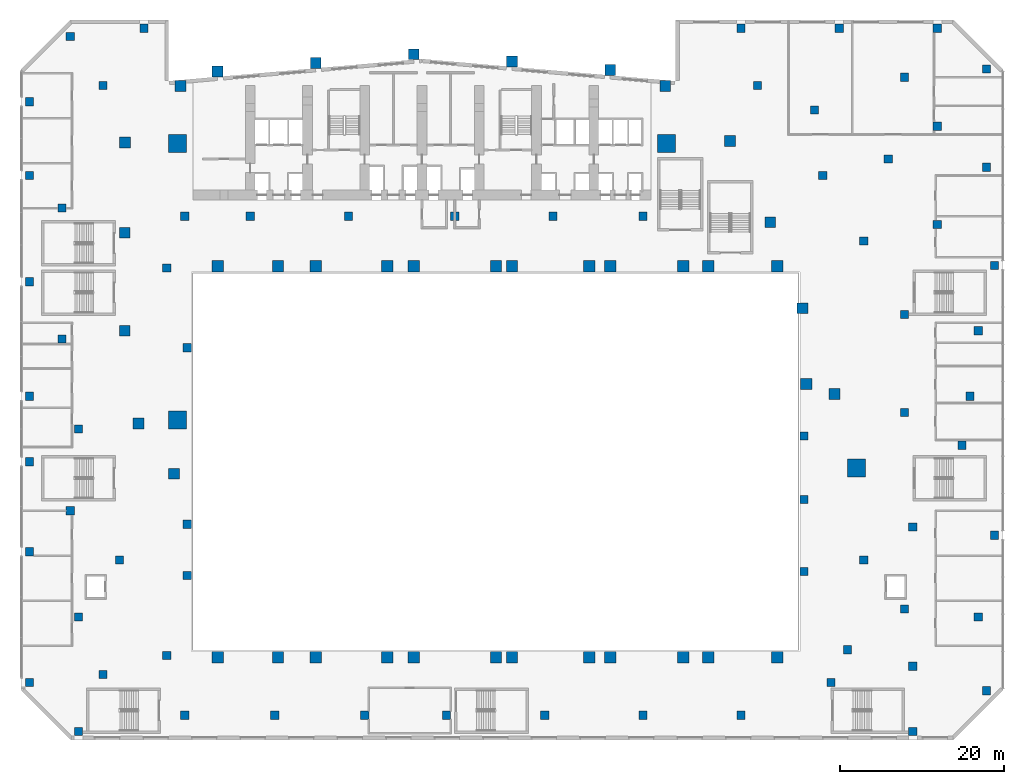
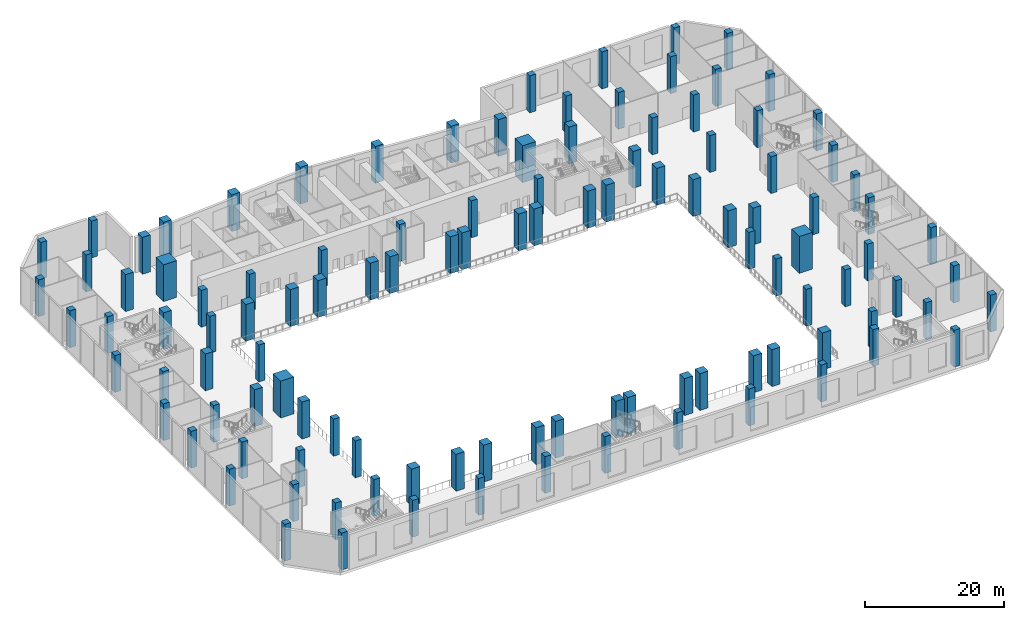
# One storey, part 1 of 30: 113 columns.
"""IFC4 building model written with IfcOpenShell, lengths in metres."""

from ifc_helpers import new_model, si_unit, direction, frame, origin, origin_2d, place, context, subcontext, project, spatial, rectangle, extrude, material, material_profile, profile_set, type_object, element, save


model = new_model("IFC4")

# Units and contexts
model_context = context("Model", 3, precision=1e-05, world=origin(), true_north=direction((0.0, 1.0)))
body_context = subcontext(model_context, "Body", "Model", "MODEL_VIEW")
ifc_project = project(units=[si_unit("LENGTHUNIT", "METRE"), si_unit("AREAUNIT", "SQUARE_METRE"), si_unit("VOLUMEUNIT", "CUBIC_METRE"), si_unit("PLANEANGLEUNIT", "RADIAN"), si_unit("MASSUNIT", "GRAM", prefix="KILO")], contexts=[model_context])

# Site, building, storey
site_placement = place(None, origin())
site = spatial("IfcSite", under=ifc_project, at=site_placement, CompositionType="ELEMENT")
building_placement = place(site_placement, origin())
building = spatial("IfcBuilding", under=site, at=building_placement, Name="Wharfspan Tower", CompositionType="ELEMENT")
storey_placement = place(building_placement, frame((0.0, 0.0, 15.0)))
storey = spatial("IfcBuildingStorey", under=building, at=storey_placement, Name="L02", CompositionType="ELEMENT", Elevation=15.0)

# Columns
ifc_material = material(Name="Concrete C60/75", Category="concrete")
ifc_material_profile_1 = material_profile(ifc_material, rectangle(XDim=1.0, YDim=1.0, at=origin_2d()))
ifc_profile_set_1 = profile_set([ifc_material_profile_1], Name="Concrete C60/75")
column_type_1 = type_object("IfcColumnType", Name="Concrete column 1000 square", PredefinedType="COLUMN", material=ifc_profile_set_1)
for number, where, z_axis, x_axis, name in (
    (1, (5.800049, -21.699951, 0.0), (0.0, 0.0, 1.0), (1.0, 0.0, 0.0), "Column G.S1"),
    (2, (5.800049, 25.699951, 0.0), (0.0, 0.0, 1.0), (1.0, 0.0, 0.0), "Column G.N2"),
    (3, (8.300049, -11.919922, 0.0), (0.0, 0.0, 1.0), (1.0, 0.0, 0.0), "Column G.W3"),
    (4, (8.300049, -5.639893, 0.0), (0.0, 0.0, 1.0), (1.0, 0.0, 0.0), "Column G.W4"),
    (5, (8.300049, 15.919922, 0.0), (0.0, 0.0, 1.0), (1.0, 0.0, 0.0), "Column G.W5"),
    (6, (83.699951, -11.419922, 0.0), (0.0, 0.0, 1.0), (1.0, 0.0, 0.0), "Column G.E6"),
    (7, (83.699951, -2.639893, 0.0), (0.0, 0.0, 1.0), (1.0, 0.0, 0.0), "Column G.E7"),
    (8, (83.699951, 5.139893, 0.0), (0.0, 0.0, 1.0), (1.0, 0.0, 0.0), "Column G.E8"),
    (9, (106.0, 50.0, 0.0), (0.0, 0.0, 1.0), (1.0, 0.0, 0.0), "Column D.1"),
    (10, (106.0, -26.0, 0.0), (0.0, 0.0, 1.0), (1.0, 0.0, 0.0), "Column D.2"),
    (11, (107.0, 26.0, 0.0), (0.0, 0.0, 1.0), (1.0, 0.0, 0.0), "Column D.3"),
    (12, (-11.0, -9.0, 0.0), (0.0, 0.0, 1.0), (1.0, 0.0, 0.0), "Column D.4"),
    (13, (107.0, -7.0, 0.0), (0.0, 0.0, 1.0), (1.0, 0.0, 0.0), "Column D.5"),
    (14, (88.0, 55.0, 0.0), (0.0, 0.0, 1.0), (1.0, 0.0, 0.0), "Column D.6"),
    (15, (-11.0, -25.0, 0.0), (0.0, 0.0, 1.0), (1.0, 0.0, 0.0), "Column D.7"),
    (16, (94.0, 39.0, 0.0), (0.0, 0.0, 1.0), (1.0, 0.0, 0.0), "Column D.8"),
    (17, (104.0, 10.0, 0.0), (0.0, 0.0, 1.0), (1.0, 0.0, 0.0), "Column D.9"),
    (18, (-6.0, 54.0, 0.0), (0.0, 0.0, 1.0), (1.0, 0.0, 0.0), "Column D.10"),
    (19, (97.0, -31.0, 0.0), (0.0, 0.0, 1.0), (1.0, 0.0, 0.0), "Column D.11"),
    (20, (-11.0, 10.0, 0.0), (0.0, 0.0, 1.0), (1.0, 0.0, 0.0), "Column D.12"),
    (21, (96.0, -16.0, 0.0), (0.0, 0.0, 1.0), (1.0, 0.0, 0.0), "Column D.13"),
    (22, (-11.0, 24.0, 0.0), (0.0, 0.0, 1.0), (1.0, 0.0, 0.0), "Column D.14"),
    (23, (96.0, 20.0, 0.0), (0.0, 0.0, 1.0), (1.0, 0.0, 0.0), "Column D.15"),
    (24, (-11.0, 37.0, 0.0), (0.0, 0.0, 1.0), (1.0, 0.0, 0.0), "Column D.16"),
    (25, (106.0, 38.0, 0.0), (0.0, 0.0, 1.0), (1.0, 0.0, 0.0), "Column D.17"),
    (26, (76.0, 55.0, 0.0), (0.0, 0.0, 1.0), (1.0, 0.0, 0.0), "Column D.18"),
    (27, (-5.0, -31.0, 0.0), (0.0, 0.0, 1.0), (1.0, 0.0, 0.0), "Column D.19"),
    (28, (87.0, -25.0, 0.0), (0.0, 0.0, 1.0), (1.0, 0.0, 0.0), "Column D.20"),
    (29, (-5.0, -17.0, 0.0), (0.0, 0.0, 1.0), (1.0, 0.0, 0.0), "Column D.21"),
    (30, (85.0, 45.0, 0.0), (0.0, 0.0, 1.0), (1.0, 0.0, 0.0), "Column D.22"),
    (31, (40.0, -29.0, 0.0), (0.0, 0.0, 1.0), (1.0, 0.0, 0.0), "Column D.23"),
    (32, (-6.0, -4.0, 0.0), (0.0, 0.0, 1.0), (1.0, 0.0, 0.0), "Column D.24"),
    (33, (91.0, 29.0, 0.0), (0.0, 0.0, 1.0), (1.0, 0.0, 0.0), "Column D.25"),
    (34, (52.0, -29.0, 0.0), (0.0, 0.0, 1.0), (1.0, 0.0, 0.0), "Column D.26"),
    (35, (96.0, 49.0, 0.0), (0.0, 0.0, 1.0), (1.0, 0.0, 0.0), "Column D.27"),
    (36, (97.0, -6.0, 0.0), (0.0, 0.0, 1.0), (1.0, 0.0, 0.0), "Column D.28"),
    (37, (30.0, -29.0, 0.0), (0.0, 0.0, 1.0), (1.0, 0.0, 0.0), "Column D.29"),
    (38, (64.0, -29.0, 0.0), (0.0, 0.0, 1.0), (1.0, 0.0, 0.0), "Column D.30"),
    (39, (76.0, -29.0, 0.0), (0.0, 0.0, 1.0), (1.0, 0.0, 0.0), "Column D.31"),
    (40, (19.0, -29.0, 0.0), (0.0, 0.0, 1.0), (1.0, 0.0, 0.0), "Column D.32"),
    (41, (8.0, -29.0, 0.0), (0.0, 0.0, 1.0), (1.0, 0.0, 0.0), "Column D.33"),
    (42, (105.0, -17.0, 0.0), (0.0, 0.0, 1.0), (1.0, 0.0, 0.0), "Column D.34"),
    (43, (-11.0, 46.0, 0.0), (0.0, 0.0, 1.0), (1.0, 0.0, 0.0), "Column D.35"),
    (44, (103.0, 4.0, 0.0), (0.0, 0.0, 1.0), (1.0, 0.0, 0.0), "Column D.36"),
    (45, (41.0, 32.0, 0.0), (0.0, 0.0, 1.0), (1.0, 0.0, 0.0), "Column D.37"),
    (46, (100.0, 31.0, 0.0), (0.0, 0.0, 1.0), (1.0, 0.0, 0.0), "Column D.38"),
    (47, (0.0, -10.0, 0.0), (0.0, 0.0, 1.0), (1.0, 0.0, 0.0), "Column D.39"),
    (48, (53.0, 32.0, 0.0), (0.0, 0.0, 1.0), (1.0, 0.0, 0.0), "Column D.40"),
    (49, (3.0, 55.0, 0.0), (0.0, 0.0, 1.0), (1.0, 0.0, 0.0), "Column D.41"),
    (50, (28.0, 32.0, 0.0), (0.0, 0.0, 1.0), (1.0, 0.0, 0.0), "Column D.42"),
    (51, (64.0, 32.0, 0.0), (0.0, 0.0, 1.0), (1.0, 0.0, 0.0), "Column D.43"),
    (52, (86.0, 37.0, 0.0), (0.0, 0.0, 1.0), (1.0, 0.0, 0.0), "Column D.44"),
    (53, (96.0, 8.0, 0.0), (0.0, 0.0, 1.0), (1.0, 0.0, 0.0), "Column D.45"),
    (54, (105.0, 18.0, 0.0), (0.0, 0.0, 1.0), (1.0, 0.0, 0.0), "Column D.46"),
    (55, (16.0, 32.0, 0.0), (0.0, 0.0, 1.0), (1.0, 0.0, 0.0), "Column D.47"),
    (56, (-11.0, 2.0, 0.0), (0.0, 0.0, 1.0), (1.0, 0.0, 0.0), "Column D.48"),
    (57, (-7.0, 17.0, 0.0), (0.0, 0.0, 1.0), (1.0, 0.0, 0.0), "Column D.49"),
    (58, (8.0, 32.0, 0.0), (0.0, 0.0, 1.0), (1.0, 0.0, 0.0), "Column D.50"),
    (59, (-2.0, -24.0, 0.0), (0.0, 0.0, 1.0), (1.0, 0.0, 0.0), "Column D.51"),
    (60, (97.0, -23.0, 0.0), (0.0, 0.0, 1.0), (1.0, 0.0, 0.0), "Column D.52"),
    (61, (78.0, 48.0, 0.0), (0.0, 0.0, 1.0), (1.0, 0.0, 0.0), "Column D.53"),
    (62, (89.0, -21.0, 0.0), (0.0, 0.0, 1.0), (1.0, 0.0, 0.0), "Column D.54"),
    (63, (-7.0, 33.0, 0.0), (0.0, 0.0, 1.0), (1.0, 0.0, 0.0), "Column D.55"),
    (64, (-5.0, 6.0, 0.0), (0.0, 0.0, 1.0), (1.0, 0.0, 0.0), "Column D.56"),
    (65, (-2.0, 48.0, 0.0), (0.0, 0.0, 1.0), (1.0, 0.0, 0.0), "Column D.57"),
    (66, (91.0, -10.0, 0.0), (0.0, 0.0, 1.0), (1.0, 0.0, 0.0), "Column D.58"),
    (67, (100.0, 43.0, 0.0), (0.0, 0.0, 1.0), (1.0, 0.0, 0.0), "Column D.59"),
    (68, (100.0, 55.0, 0.0), (0.0, 0.0, 1.0), (1.0, 0.0, 0.0), "Column D.60"),
):
    element("IfcColumn", number, at=place(storey_placement, frame(where, z_axis=z_axis, x_axis=x_axis)), inside=storey, type_object=column_type_1, Name=name, PredefinedType="COLUMN", context=body_context, shape_type="SweptSolid", body=[
        extrude(rectangle(XDim=1.0, YDim=1.0, at=origin_2d()), origin(), (0.0, 0.0, 1.0), 6.5),
    ])
ifc_material_profile_2 = material_profile(ifc_material, rectangle(XDim=1.320068, YDim=1.320068, at=origin_2d()))
ifc_profile_set_2 = profile_set([ifc_material_profile_2], Name="Concrete C60/75")
column_type_2 = type_object("IfcColumnType", Name="Concrete column 1320 square", PredefinedType="COLUMN", material=ifc_profile_set_2)
for number, where, z_axis, x_axis, name in (
    (69, (6.694336, 0.528564, 0.0), (0.0, 0.0, 1.0), (1.0, 0.0, 0.0), "Column T.PS1.1"),
    (70, (87.44458, 10.268311, 0.0), (0.0, 0.0, 1.0), (1.0, 0.0, 0.0), "Column T.PE.1"),
    (71, (83.50708, 20.768311, 0.0), (0.0, 0.0, 1.0), (1.0, 0.0, 0.0), "Column T.PE.2"),
    (72, (79.56958, 31.268311, 0.0), (0.0, 0.0, 1.0), (1.0, 0.0, 0.0), "Column T.PE.3"),
    (73, (74.634277, 41.196289, 0.0), (0.0, 0.0, 1.0), (1.0, 0.0, 0.0), "Column T.PE.4"),
    (74, (66.747803, 47.915283, 0.0), (0.0, 0.0, 1.0), (1.0, 0.0, 0.0), "Column T.PNRE-V.1"),
    (75, (7.466553, 47.933594, 0.0), (0.0, 0.0, 1.0), (1.0, 0.0, 0.0), "Column T.PNRW-V.1"),
    (76, (0.684814, 41.03418, 0.0), (0.0, 0.0, 1.0), (1.0, 0.0, 0.0), "Column T.PNRW-H.1"),
    (77, (0.659912, 30.0, 0.0), (0.0, 0.0, 1.0), (1.0, 0.0, 0.0), "Column T.PW.1"),
    (78, (0.659912, 18.0, 0.0), (0.0, 0.0, 1.0), (1.0, 0.0, 0.0), "Column T.PW.2"),
    (79, (2.331787, 6.66748, 0.0), (0.0, 0.0, 1.0), (1.0, 0.0, 0.0), "Column T.PW.3"),
    (80, (12.0, 49.709961, 0.0), (0.0, 0.0, 1.0), (1.0, 0.0, 0.0), "Column T.R.1"),
    (81, (24.0, 50.759766, 0.0), (0.0, 0.0, 1.0), (1.0, 0.0, 0.0), "Column T.R.2"),
    (82, (36.0, 51.80957, 0.0), (0.0, 0.0, 1.0), (1.0, 0.0, 0.0), "Column T.R.3"),
    (83, (48.0, 50.934814, 0.0), (0.0, 0.0, 1.0), (1.0, 0.0, 0.0), "Column T.R.4"),
    (84, (60.0, 49.884766, 0.0), (0.0, 0.0, 1.0), (1.0, 0.0, 0.0), "Column T.R.5"),
):
    element("IfcColumn", number, at=place(storey_placement, frame(where, z_axis=z_axis, x_axis=x_axis)), inside=storey, type_object=column_type_2, Name=name, PredefinedType="COLUMN", context=body_context, shape_type="SweptSolid", body=[
        extrude(rectangle(XDim=1.320068, YDim=1.320068, at=origin_2d()), origin(), (0.0, 0.0, 1.0), 6.5),
    ])
ifc_material_profile_3 = material_profile(ifc_material, rectangle(XDim=1.399902, YDim=1.399902, at=origin_2d()))
ifc_profile_set_3 = profile_set([ifc_material_profile_3], Name="Concrete C60/75")
column_type_3 = type_object("IfcColumnType", Name="Concrete column 1400 square", PredefinedType="COLUMN", material=ifc_profile_set_3)
for number, where, z_axis, x_axis, name in (
    (85, (84.0, 11.5, 0.0), (0.0, 0.0, 1.0), (1.0, 0.0, 0.0), "Column T.I.1.7"),
    (86, (12.0, -21.899902, 0.0), (0.0, 0.0, 1.0), (1.0, 0.0, 0.0), "Column RS.1"),
    (87, (12.0, 25.899902, 0.0), (0.0, 0.0, 1.0), (1.0, 0.0, 0.0), "Column RN.1"),
    (88, (19.391113, -21.899902, 0.0), (0.0, 0.0, 1.0), (1.0, 0.0, 0.0), "Column RS.2"),
    (89, (19.391113, 25.899902, 0.0), (0.0, 0.0, 1.0), (1.0, 0.0, 0.0), "Column RN.2"),
    (90, (24.0, -21.899902, 0.0), (0.0, 0.0, 1.0), (1.0, 0.0, 0.0), "Column RS.3"),
    (91, (24.0, 25.899902, 0.0), (0.0, 0.0, 1.0), (1.0, 0.0, 0.0), "Column RN.3"),
    (92, (32.724121, -21.899902, 0.0), (0.0, 0.0, 1.0), (1.0, 0.0, 0.0), "Column RS.4"),
    (93, (32.724121, 25.899902, 0.0), (0.0, 0.0, 1.0), (1.0, 0.0, 0.0), "Column RN.4"),
    (94, (36.0, -21.899902, 0.0), (0.0, 0.0, 1.0), (1.0, 0.0, 0.0), "Column RS.5"),
    (95, (36.0, 25.899902, 0.0), (0.0, 0.0, 1.0), (1.0, 0.0, 0.0), "Column RN.5"),
    (96, (46.041992, -21.899902, 0.0), (0.0, 0.0, 1.0), (1.0, 0.0, 0.0), "Column RS.6"),
    (97, (46.041992, 25.899902, 0.0), (0.0, 0.0, 1.0), (1.0, 0.0, 0.0), "Column RN.6"),
    (98, (48.0, -21.899902, 0.0), (0.0, 0.0, 1.0), (1.0, 0.0, 0.0), "Column RS.7"),
    (99, (48.0, 25.899902, 0.0), (0.0, 0.0, 1.0), (1.0, 0.0, 0.0), "Column RN.7"),
    (100, (57.441895, -21.899902, 0.0), (0.0, 0.0, 1.0), (1.0, 0.0, 0.0), "Column RS.8"),
    (101, (57.441895, 25.899902, 0.0), (0.0, 0.0, 1.0), (1.0, 0.0, 0.0), "Column RN.8"),
    (102, (60.0, -21.899902, 0.0), (0.0, 0.0, 1.0), (1.0, 0.0, 0.0), "Column RS.9"),
    (103, (60.0, 25.899902, 0.0), (0.0, 0.0, 1.0), (1.0, 0.0, 0.0), "Column RN.9"),
    (104, (68.941895, -21.899902, 0.0), (0.0, 0.0, 1.0), (1.0, 0.0, 0.0), "Column RS.10"),
    (105, (68.941895, 25.899902, 0.0), (0.0, 0.0, 1.0), (1.0, 0.0, 0.0), "Column RN.10"),
    (106, (72.0, -21.899902, 0.0), (0.0, 0.0, 1.0), (1.0, 0.0, 0.0), "Column RS.11"),
    (107, (72.0, 25.899902, 0.0), (0.0, 0.0, 1.0), (1.0, 0.0, 0.0), "Column RN.11"),
    (108, (80.441895, -21.899902, 0.0), (0.0, 0.0, 1.0), (1.0, 0.0, 0.0), "Column RS.12"),
    (109, (80.441895, 25.899902, 0.0), (0.0, 0.0, 1.0), (1.0, 0.0, 0.0), "Column RN.12"),
):
    element("IfcColumn", number, at=place(storey_placement, frame(where, z_axis=z_axis, x_axis=x_axis)), inside=storey, type_object=column_type_3, Name=name, PredefinedType="COLUMN", context=body_context, shape_type="SweptSolid", body=[
        extrude(rectangle(XDim=1.399902, YDim=1.399902, at=origin_2d()), origin(), (0.0, 0.0, 1.0), 6.5),
    ])
ifc_material_profile_4 = material_profile(ifc_material, rectangle(XDim=2.199951, YDim=2.199951, at=origin_2d()))
ifc_profile_set_4 = profile_set([ifc_material_profile_4], Name="Concrete C60/75")
column_type_4 = type_object("IfcColumnType", Name="Concrete column 2200 square", PredefinedType="COLUMN", material=ifc_profile_set_4)
for number, where, z_axis, x_axis, name in (
    (110, (7.100098, 7.100098, 0.0), (0.0, 0.0, 1.0), (1.0, 0.0, 0.0), "Column T.MC1"),
    (111, (7.100098, 40.899902, 0.0), (0.0, 0.0, 1.0), (1.0, 0.0, 0.0), "Column T.MC2"),
    (112, (66.899902, 40.899902, 0.0), (0.0, 0.0, 1.0), (1.0, 0.0, 0.0), "Column T.MC3"),
    (113, (90.096436, 1.199707, 0.0), (0.0, 0.0, 1.0), (1.0, 0.0, 0.0), "Column T.MC4"),
):
    element("IfcColumn", number, at=place(storey_placement, frame(where, z_axis=z_axis, x_axis=x_axis)), inside=storey, type_object=column_type_4, Name=name, PredefinedType="COLUMN", context=body_context, shape_type="SweptSolid", body=[
        extrude(rectangle(XDim=2.199951, YDim=2.199951, at=origin_2d()), origin(), (0.0, 0.0, 1.0), 6.5),
    ])

save(model, "model.ifc")
